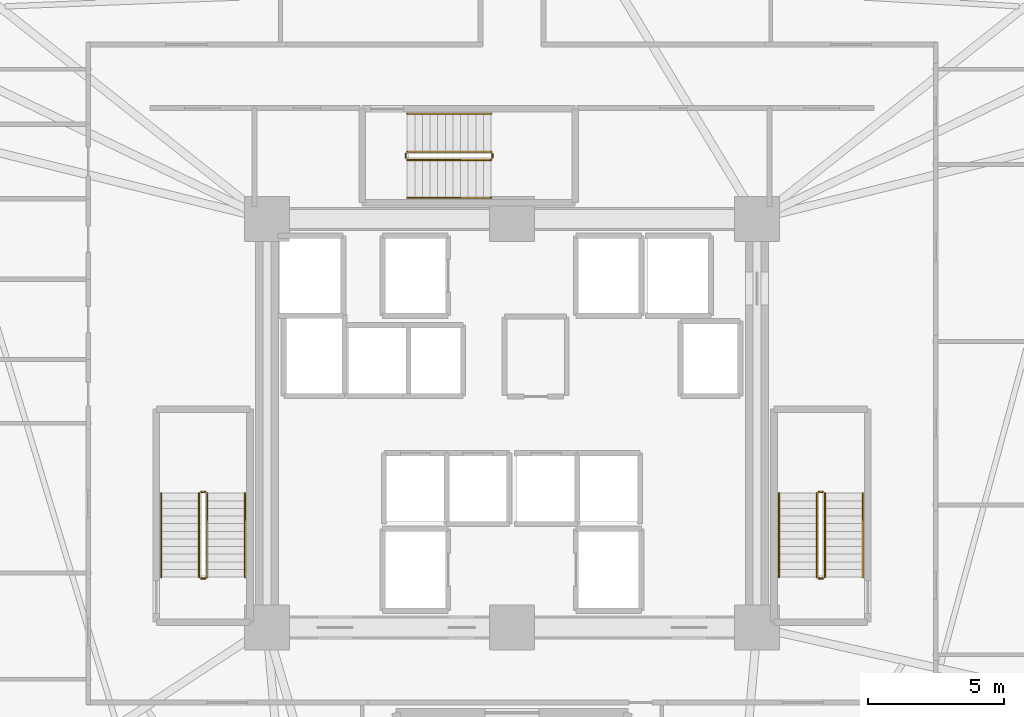
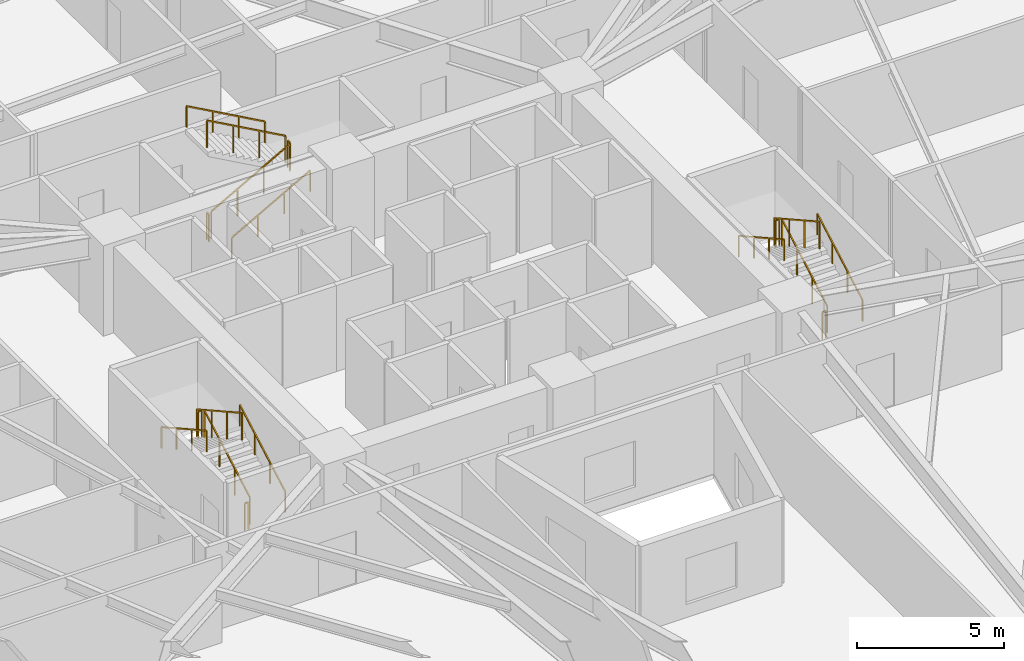
# One storey, part 8 of 8: 18 railings.
"""IFC4 building model written with IfcOpenShell, lengths in metres."""

from ifc_helpers import new_model, si_unit, direction, frame, origin, origin_2d, place, context, subcontext, project, spatial, rectangle, extrude, material, type_object, element, save


model = new_model("IFC4")

# Units and contexts
model_context = context("Model", 3, precision=1e-05, world=origin(), true_north=direction((0.0, 1.0)))
body_context = subcontext(model_context, "Body", "Model", "MODEL_VIEW")
ifc_project = project(units=[si_unit("LENGTHUNIT", "METRE"), si_unit("AREAUNIT", "SQUARE_METRE"), si_unit("VOLUMEUNIT", "CUBIC_METRE"), si_unit("PLANEANGLEUNIT", "RADIAN"), si_unit("MASSUNIT", "GRAM", prefix="KILO")], contexts=[model_context])

# Site, building, storey
site_placement = place(None, origin())
site = spatial("IfcSite", under=ifc_project, at=site_placement, CompositionType="ELEMENT")
building_placement = place(site_placement, origin())
building = spatial("IfcBuilding", under=site, at=building_placement, Name="Liaohun Quay Tower", CompositionType="ELEMENT")
storey_placement = place(building_placement, frame((0.0, 0.0, 81.75)))
storey = spatial("IfcBuildingStorey", under=building, at=storey_placement, Name="L21", CompositionType="ELEMENT", Elevation=81.75)

# Railings
ifc_material_1 = material(Name="Painted tubular steel", Category="steel")
railing_type_1 = type_object("IfcRailingType", Name="RLG-GUARD-STR", PredefinedType="GUARDRAIL", material=ifc_material_1)
railing_1_placement = place(storey_placement, frame((48.81005859375, 48.35009765625, 0.15625)))
element("IfcRailing", 1, at=railing_1_placement, inside=storey, type_object=railing_type_1, Name="L21 ST-1 stair guard 1", PredefinedType="GUARDRAIL", context=body_context, shape_type="SweptSolid", body=[
    extrude(rectangle(XDim=0.048095703125, YDim=0.048095703125, at=origin_2d()), frame((0.0, 0.0, 1.1259765625), z_axis=(0.0, 0.873225103656, 0.487317061414), x_axis=(-1.0, 0.0, 0.0)), (0.0, 0.0, 1.0), 3.52685546875),
    extrude(rectangle(XDim=0.0419921875, YDim=0.0419921875, at=origin_2d()), origin(), (0.0, 0.0, 1.0), 1.101806640625),
    extrude(rectangle(XDim=0.0419921875, YDim=0.0419921875, at=origin_2d()), frame((0.0, 1.026611328125, 0.572998046875)), (0.0, 0.0, 1.0), 1.101806640625),
    extrude(rectangle(XDim=0.0419921875, YDim=0.0419921875, at=origin_2d()), frame((0.0, 2.05322265625, 1.145751953125)), (0.0, 0.0, 1.0), 1.101806640625),
    extrude(rectangle(XDim=0.0419921875, YDim=0.0419921875, at=origin_2d()), frame((0.0, 3.079833984375, 1.71875)), (0.0, 0.0, 1.0), 1.101806640625),
])
railing_2_placement = place(storey_placement, frame((48.72998046875, 51.47998046875, 1.875)))
element("IfcRailing", 2, at=railing_2_placement, inside=storey, type_object=railing_type_1, Name="L21 ST-1 stair guard 2", PredefinedType="GUARDRAIL", context=body_context, shape_type="SweptSolid", body=[
    extrude(rectangle(XDim=0.048095703125, YDim=0.048095703125, at=origin_2d()), frame((0.0, 0.0, 1.1259765625), z_axis=(-1.0, 0.0, 0.0), x_axis=(0.0, -1.0, 0.0)), (0.0, 0.0, 1.0), 0.139892578125),
    extrude(rectangle(XDim=0.0419921875, YDim=0.0419921875, at=origin_2d()), origin(), (0.0, 0.0, 1.0), 1.101806640625),
    extrude(rectangle(XDim=0.0419921875, YDim=0.0419921875, at=origin_2d()), frame((-0.139892578125, 0.0, 0.0)), (0.0, 0.0, 1.0), 1.101806640625),
])
railing_3_placement = place(storey_placement, frame((48.510009765625, 51.429931640625, 2.03125)))
element("IfcRailing", 3, at=railing_3_placement, inside=storey, type_object=railing_type_1, Name="L21 ST-1 stair guard 3", PredefinedType="GUARDRAIL", context=body_context, shape_type="SweptSolid", body=[
    extrude(rectangle(XDim=0.048095703125, YDim=0.048095703125, at=origin_2d()), frame((0.0, 0.0, 1.1259765625), z_axis=(0.0, -0.873225103656, 0.487317061414), x_axis=(1.0, 0.0, 0.0)), (0.0, 0.0, 1.0), 3.52685546875),
    extrude(rectangle(XDim=0.0419921875, YDim=0.0419921875, at=origin_2d()), origin(), (0.0, 0.0, 1.0), 1.101806640625),
    extrude(rectangle(XDim=0.0419921875, YDim=0.0419921875, at=origin_2d()), frame((0.0, -1.026611328125, 0.572998046875)), (0.0, 0.0, 1.0), 1.101806640625),
    extrude(rectangle(XDim=0.0419921875, YDim=0.0419921875, at=origin_2d()), frame((0.0, -2.05322265625, 1.145751953125)), (0.0, 0.0, 1.0), 1.101806640625),
    extrude(rectangle(XDim=0.0419921875, YDim=0.0419921875, at=origin_2d()), frame((0.0, -3.079833984375, 1.71875)), (0.0, 0.0, 1.0), 1.101806640625),
])
railing_4_placement = place(storey_placement, frame((48.72998046875, 48.300048828125, 0.0)))
element("IfcRailing", 4, at=railing_4_placement, inside=storey, type_object=railing_type_1, Name="L21 ST-1 stair guard 4", PredefinedType="GUARDRAIL", context=body_context, shape_type="SweptSolid", body=[
    extrude(rectangle(XDim=0.048095703125, YDim=0.048095703125, at=origin_2d()), frame((0.0, 0.0, 1.1259765625), z_axis=(-1.0, 0.0, 0.0), x_axis=(0.0, -1.0, 0.0)), (0.0, 0.0, 1.0), 0.139892578125),
    extrude(rectangle(XDim=0.0419921875, YDim=0.0419921875, at=origin_2d()), origin(), (0.0, 0.0, 1.0), 1.101806640625),
    extrude(rectangle(XDim=0.0419921875, YDim=0.0419921875, at=origin_2d()), frame((-0.139892578125, 0.0, 0.0)), (0.0, 0.0, 1.0), 1.101806640625),
])
railing_5_placement = place(storey_placement, frame((71.489990234375, 48.35009765625, 0.15625)))
element("IfcRailing", 5, at=railing_5_placement, inside=storey, type_object=railing_type_1, Name="L21 ST-2 stair guard 1", PredefinedType="GUARDRAIL", context=body_context, shape_type="SweptSolid", body=[
    extrude(rectangle(XDim=0.048095703125, YDim=0.048095703125, at=origin_2d()), frame((0.0, 0.0, 1.1259765625), z_axis=(0.0, 0.873225103656, 0.487317061414), x_axis=(-1.0, 0.0, 0.0)), (0.0, 0.0, 1.0), 3.52685546875),
    extrude(rectangle(XDim=0.0419921875, YDim=0.0419921875, at=origin_2d()), origin(), (0.0, 0.0, 1.0), 1.101806640625),
    extrude(rectangle(XDim=0.0419921875, YDim=0.0419921875, at=origin_2d()), frame((0.0, 1.026611328125, 0.572998046875)), (0.0, 0.0, 1.0), 1.101806640625),
    extrude(rectangle(XDim=0.0419921875, YDim=0.0419921875, at=origin_2d()), frame((0.0, 2.05322265625, 1.145751953125)), (0.0, 0.0, 1.0), 1.101806640625),
    extrude(rectangle(XDim=0.0419921875, YDim=0.0419921875, at=origin_2d()), frame((0.0, 3.079833984375, 1.71875)), (0.0, 0.0, 1.0), 1.101806640625),
])
railing_6_placement = place(storey_placement, frame((71.409912109375, 51.47998046875, 1.875)))
element("IfcRailing", 6, at=railing_6_placement, inside=storey, type_object=railing_type_1, Name="L21 ST-2 stair guard 2", PredefinedType="GUARDRAIL", context=body_context, shape_type="SweptSolid", body=[
    extrude(rectangle(XDim=0.048095703125, YDim=0.048095703125, at=origin_2d()), frame((0.0, 0.0, 1.1259765625), z_axis=(-1.0, 0.0, 0.0), x_axis=(0.0, -1.0, 0.0)), (0.0, 0.0, 1.0), 0.139892578125),
    extrude(rectangle(XDim=0.0419921875, YDim=0.0419921875, at=origin_2d()), origin(), (0.0, 0.0, 1.0), 1.101806640625),
    extrude(rectangle(XDim=0.0419921875, YDim=0.0419921875, at=origin_2d()), frame((-0.139892578125, 0.0, 0.0)), (0.0, 0.0, 1.0), 1.101806640625),
])
railing_7_placement = place(storey_placement, frame((71.18994140625, 51.429931640625, 2.03125)))
element("IfcRailing", 7, at=railing_7_placement, inside=storey, type_object=railing_type_1, Name="L21 ST-2 stair guard 3", PredefinedType="GUARDRAIL", context=body_context, shape_type="SweptSolid", body=[
    extrude(rectangle(XDim=0.048095703125, YDim=0.048095703125, at=origin_2d()), frame((0.0, 0.0, 1.1259765625), z_axis=(0.0, -0.873225103656, 0.487317061414), x_axis=(1.0, 0.0, 0.0)), (0.0, 0.0, 1.0), 3.52685546875),
    extrude(rectangle(XDim=0.0419921875, YDim=0.0419921875, at=origin_2d()), origin(), (0.0, 0.0, 1.0), 1.101806640625),
    extrude(rectangle(XDim=0.0419921875, YDim=0.0419921875, at=origin_2d()), frame((0.0, -1.026611328125, 0.572998046875)), (0.0, 0.0, 1.0), 1.101806640625),
    extrude(rectangle(XDim=0.0419921875, YDim=0.0419921875, at=origin_2d()), frame((0.0, -2.05322265625, 1.145751953125)), (0.0, 0.0, 1.0), 1.101806640625),
    extrude(rectangle(XDim=0.0419921875, YDim=0.0419921875, at=origin_2d()), frame((0.0, -3.079833984375, 1.71875)), (0.0, 0.0, 1.0), 1.101806640625),
])
railing_8_placement = place(storey_placement, frame((71.409912109375, 48.300048828125, 0.0)))
element("IfcRailing", 8, at=railing_8_placement, inside=storey, type_object=railing_type_1, Name="L21 ST-2 stair guard 4", PredefinedType="GUARDRAIL", context=body_context, shape_type="SweptSolid", body=[
    extrude(rectangle(XDim=0.048095703125, YDim=0.048095703125, at=origin_2d()), frame((0.0, 0.0, 1.1259765625), z_axis=(-1.0, 0.0, 0.0), x_axis=(0.0, -1.0, 0.0)), (0.0, 0.0, 1.0), 0.139892578125),
    extrude(rectangle(XDim=0.0419921875, YDim=0.0419921875, at=origin_2d()), origin(), (0.0, 0.0, 1.0), 1.101806640625),
    extrude(rectangle(XDim=0.0419921875, YDim=0.0419921875, at=origin_2d()), frame((-0.139892578125, 0.0, 0.0)), (0.0, 0.0, 1.0), 1.101806640625),
])
railing_9_placement = place(storey_placement, frame((56.14990234375, 63.669921875, 0.15625)))
element("IfcRailing", 9, at=railing_9_placement, inside=storey, type_object=railing_type_1, Name="L21 ST-3 stair guard 1", PredefinedType="GUARDRAIL", context=body_context, shape_type="SweptSolid", body=[
    extrude(rectangle(XDim=0.048095703125, YDim=0.048095703125, at=origin_2d()), frame((0.0, 0.0, 1.1259765625), z_axis=(0.873241540666, 0.0, 0.487287606713), x_axis=(0.0, 1.0, 0.0)), (0.0, 0.0, 1.0), 3.527099609375),
    extrude(rectangle(XDim=0.0419921875, YDim=0.0419921875, at=origin_2d()), origin(), (0.0, 0.0, 1.0), 1.101806640625),
    extrude(rectangle(XDim=0.0419921875, YDim=0.0419921875, at=origin_2d()), frame((1.026611328125, 0.0, 0.572998046875)), (0.0, 0.0, 1.0), 1.101806640625),
    extrude(rectangle(XDim=0.0419921875, YDim=0.0419921875, at=origin_2d()), frame((2.053466796875, 0.0, 1.145751953125)), (0.0, 0.0, 1.0), 1.101806640625),
    extrude(rectangle(XDim=0.0419921875, YDim=0.0419921875, at=origin_2d()), frame((3.080078125, 0.0, 1.71875)), (0.0, 0.0, 1.0), 1.101806640625),
])
railing_10_placement = place(storey_placement, frame((59.280029296875, 63.75, 1.875)))
element("IfcRailing", 10, at=railing_10_placement, inside=storey, type_object=railing_type_1, Name="L21 ST-3 stair guard 2", PredefinedType="GUARDRAIL", context=body_context, shape_type="SweptSolid", body=[
    extrude(rectangle(XDim=0.048095703125, YDim=0.048095703125, at=origin_2d()), frame((0.0, 0.0, 1.1259765625), z_axis=(0.0, 1.0, 0.0), x_axis=(-1.0, 0.0, 0.0)), (0.0, 0.0, 1.0), 0.139892578125),
    extrude(rectangle(XDim=0.0419921875, YDim=0.0419921875, at=origin_2d()), origin(), (0.0, 0.0, 1.0), 1.101806640625),
    extrude(rectangle(XDim=0.0419921875, YDim=0.0419921875, at=origin_2d()), frame((0.0, 0.139892578125, 0.0)), (0.0, 0.0, 1.0), 1.101806640625),
])
railing_11_placement = place(storey_placement, frame((59.22998046875, 63.969970703125, 2.03125)))
element("IfcRailing", 11, at=railing_11_placement, inside=storey, type_object=railing_type_1, Name="L21 ST-3 stair guard 3", PredefinedType="GUARDRAIL", context=body_context, shape_type="SweptSolid", body=[
    extrude(rectangle(XDim=0.048095703125, YDim=0.048095703125, at=origin_2d()), frame((0.0, 0.0, 1.1259765625), z_axis=(-0.873241540666, 0.0, 0.487287606713), x_axis=(0.0, -1.0, 0.0)), (0.0, 0.0, 1.0), 3.527099609375),
    extrude(rectangle(XDim=0.0419921875, YDim=0.0419921875, at=origin_2d()), origin(), (0.0, 0.0, 1.0), 1.101806640625),
    extrude(rectangle(XDim=0.0419921875, YDim=0.0419921875, at=origin_2d()), frame((-1.026611328125, 0.0, 0.572998046875)), (0.0, 0.0, 1.0), 1.101806640625),
    extrude(rectangle(XDim=0.0419921875, YDim=0.0419921875, at=origin_2d()), frame((-2.053466796875, 0.0, 1.145751953125)), (0.0, 0.0, 1.0), 1.101806640625),
    extrude(rectangle(XDim=0.0419921875, YDim=0.0419921875, at=origin_2d()), frame((-3.080078125, 0.0, 1.71875)), (0.0, 0.0, 1.0), 1.101806640625),
])
railing_12_placement = place(storey_placement, frame((56.10009765625, 63.75, 0.0)))
element("IfcRailing", 12, at=railing_12_placement, inside=storey, type_object=railing_type_1, Name="L21 ST-3 stair guard 4", PredefinedType="GUARDRAIL", context=body_context, shape_type="SweptSolid", body=[
    extrude(rectangle(XDim=0.048095703125, YDim=0.048095703125, at=origin_2d()), frame((0.0, 0.0, 1.1259765625), z_axis=(0.0, 1.0, 0.0), x_axis=(-1.0, 0.0, 0.0)), (0.0, 0.0, 1.0), 0.139892578125),
    extrude(rectangle(XDim=0.0419921875, YDim=0.0419921875, at=origin_2d()), origin(), (0.0, 0.0, 1.0), 1.101806640625),
    extrude(rectangle(XDim=0.0419921875, YDim=0.0419921875, at=origin_2d()), frame((0.0, 0.139892578125, 0.0)), (0.0, 0.0, 1.0), 1.101806640625),
])
ifc_material_2 = material(Name="Brushed stainless steel", Category="steel")
railing_type_2 = type_object("IfcRailingType", Name="RLG-HND-STR", PredefinedType="HANDRAIL", material=ifc_material_2)
railing_13_placement = place(storey_placement, frame((50.199951171875, 48.35009765625, 0.15625)))
element("IfcRailing", 13, at=railing_13_placement, inside=storey, type_object=railing_type_2, Name="L21 ST-1 stair handrail 1", PredefinedType="HANDRAIL", context=body_context, shape_type="SweptSolid", body=[
    extrude(rectangle(XDim=0.048095703125, YDim=0.048095703125, at=origin_2d()), frame((0.0, 0.0, 0.8759765625), z_axis=(0.0, 0.873225103656, 0.487317061414), x_axis=(-1.0, 0.0, 0.0)), (0.0, 0.0, 1.0), 3.52685546875),
    extrude(rectangle(XDim=0.0419921875, YDim=0.0419921875, at=origin_2d()), origin(), (0.0, 0.0, 1.0), 0.851806640625),
    extrude(rectangle(XDim=0.0419921875, YDim=0.0419921875, at=origin_2d()), frame((0.0, 1.026611328125, 0.572998046875)), (0.0, 0.0, 1.0), 0.851806640625),
    extrude(rectangle(XDim=0.0419921875, YDim=0.0419921875, at=origin_2d()), frame((0.0, 2.05322265625, 1.145751953125)), (0.0, 0.0, 1.0), 0.851806640625),
    extrude(rectangle(XDim=0.0419921875, YDim=0.0419921875, at=origin_2d()), frame((0.0, 3.079833984375, 1.71875)), (0.0, 0.0, 1.0), 0.851806640625),
])
railing_14_placement = place(storey_placement, frame((47.1201171875, 51.429931640625, 2.03125)))
element("IfcRailing", 14, at=railing_14_placement, inside=storey, type_object=railing_type_2, Name="L21 ST-1 stair handrail 2", PredefinedType="HANDRAIL", context=body_context, shape_type="SweptSolid", body=[
    extrude(rectangle(XDim=0.048095703125, YDim=0.048095703125, at=origin_2d()), frame((0.0, 0.0, 0.8759765625), z_axis=(0.0, -0.873225103656, 0.487317061414), x_axis=(1.0, 0.0, 0.0)), (0.0, 0.0, 1.0), 3.52685546875),
    extrude(rectangle(XDim=0.0419921875, YDim=0.0419921875, at=origin_2d()), origin(), (0.0, 0.0, 1.0), 0.851806640625),
    extrude(rectangle(XDim=0.0419921875, YDim=0.0419921875, at=origin_2d()), frame((0.0, -1.026611328125, 0.572998046875)), (0.0, 0.0, 1.0), 0.851806640625),
    extrude(rectangle(XDim=0.0419921875, YDim=0.0419921875, at=origin_2d()), frame((0.0, -2.05322265625, 1.145751953125)), (0.0, 0.0, 1.0), 0.851806640625),
    extrude(rectangle(XDim=0.0419921875, YDim=0.0419921875, at=origin_2d()), frame((0.0, -3.079833984375, 1.71875)), (0.0, 0.0, 1.0), 0.851806640625),
])
railing_15_placement = place(storey_placement, frame((72.8798828125, 48.35009765625, 0.15625)))
element("IfcRailing", 15, at=railing_15_placement, inside=storey, type_object=railing_type_2, Name="L21 ST-2 stair handrail 1", PredefinedType="HANDRAIL", context=body_context, shape_type="SweptSolid", body=[
    extrude(rectangle(XDim=0.048095703125, YDim=0.048095703125, at=origin_2d()), frame((0.0, 0.0, 0.8759765625), z_axis=(0.0, 0.873225103656, 0.487317061414), x_axis=(-1.0, 0.0, 0.0)), (0.0, 0.0, 1.0), 3.52685546875),
    extrude(rectangle(XDim=0.0419921875, YDim=0.0419921875, at=origin_2d()), origin(), (0.0, 0.0, 1.0), 0.851806640625),
    extrude(rectangle(XDim=0.0419921875, YDim=0.0419921875, at=origin_2d()), frame((0.0, 1.026611328125, 0.572998046875)), (0.0, 0.0, 1.0), 0.851806640625),
    extrude(rectangle(XDim=0.0419921875, YDim=0.0419921875, at=origin_2d()), frame((0.0, 2.05322265625, 1.145751953125)), (0.0, 0.0, 1.0), 0.851806640625),
    extrude(rectangle(XDim=0.0419921875, YDim=0.0419921875, at=origin_2d()), frame((0.0, 3.079833984375, 1.71875)), (0.0, 0.0, 1.0), 0.851806640625),
])
railing_16_placement = place(storey_placement, frame((69.800048828125, 51.429931640625, 2.03125)))
element("IfcRailing", 16, at=railing_16_placement, inside=storey, type_object=railing_type_2, Name="L21 ST-2 stair handrail 2", PredefinedType="HANDRAIL", context=body_context, shape_type="SweptSolid", body=[
    extrude(rectangle(XDim=0.048095703125, YDim=0.048095703125, at=origin_2d()), frame((0.0, 0.0, 0.8759765625), z_axis=(0.0, -0.873225103656, 0.487317061414), x_axis=(1.0, 0.0, 0.0)), (0.0, 0.0, 1.0), 3.52685546875),
    extrude(rectangle(XDim=0.0419921875, YDim=0.0419921875, at=origin_2d()), origin(), (0.0, 0.0, 1.0), 0.851806640625),
    extrude(rectangle(XDim=0.0419921875, YDim=0.0419921875, at=origin_2d()), frame((0.0, -1.026611328125, 0.572998046875)), (0.0, 0.0, 1.0), 0.851806640625),
    extrude(rectangle(XDim=0.0419921875, YDim=0.0419921875, at=origin_2d()), frame((0.0, -2.05322265625, 1.145751953125)), (0.0, 0.0, 1.0), 0.851806640625),
    extrude(rectangle(XDim=0.0419921875, YDim=0.0419921875, at=origin_2d()), frame((0.0, -3.079833984375, 1.71875)), (0.0, 0.0, 1.0), 0.851806640625),
])
railing_17_placement = place(storey_placement, frame((56.14990234375, 62.280029296875, 0.15625)))
element("IfcRailing", 17, at=railing_17_placement, inside=storey, type_object=railing_type_2, Name="L21 ST-3 stair handrail 1", PredefinedType="HANDRAIL", context=body_context, shape_type="SweptSolid", body=[
    extrude(rectangle(XDim=0.048095703125, YDim=0.048095703125, at=origin_2d()), frame((0.0, 0.0, 0.8759765625), z_axis=(0.873241540666, 0.0, 0.487287606713), x_axis=(0.0, 1.0, 0.0)), (0.0, 0.0, 1.0), 3.527099609375),
    extrude(rectangle(XDim=0.0419921875, YDim=0.0419921875, at=origin_2d()), origin(), (0.0, 0.0, 1.0), 0.851806640625),
    extrude(rectangle(XDim=0.0419921875, YDim=0.0419921875, at=origin_2d()), frame((1.026611328125, 0.0, 0.572998046875)), (0.0, 0.0, 1.0), 0.851806640625),
    extrude(rectangle(XDim=0.0419921875, YDim=0.0419921875, at=origin_2d()), frame((2.053466796875, 0.0, 1.145751953125)), (0.0, 0.0, 1.0), 0.851806640625),
    extrude(rectangle(XDim=0.0419921875, YDim=0.0419921875, at=origin_2d()), frame((3.080078125, 0.0, 1.71875)), (0.0, 0.0, 1.0), 0.851806640625),
])
railing_18_placement = place(storey_placement, frame((59.22998046875, 65.360107421875, 2.03125)))
element("IfcRailing", 18, at=railing_18_placement, inside=storey, type_object=railing_type_2, Name="L21 ST-3 stair handrail 2", PredefinedType="HANDRAIL", context=body_context, shape_type="SweptSolid", body=[
    extrude(rectangle(XDim=0.048095703125, YDim=0.048095703125, at=origin_2d()), frame((0.0, 0.0, 0.8759765625), z_axis=(-0.873241540666, 0.0, 0.487287606713), x_axis=(0.0, -1.0, 0.0)), (0.0, 0.0, 1.0), 3.527099609375),
    extrude(rectangle(XDim=0.0419921875, YDim=0.0419921875, at=origin_2d()), origin(), (0.0, 0.0, 1.0), 0.851806640625),
    extrude(rectangle(XDim=0.0419921875, YDim=0.0419921875, at=origin_2d()), frame((-1.026611328125, 0.0, 0.572998046875)), (0.0, 0.0, 1.0), 0.851806640625),
    extrude(rectangle(XDim=0.0419921875, YDim=0.0419921875, at=origin_2d()), frame((-2.053466796875, 0.0, 1.145751953125)), (0.0, 0.0, 1.0), 0.851806640625),
    extrude(rectangle(XDim=0.0419921875, YDim=0.0419921875, at=origin_2d()), frame((-3.080078125, 0.0, 1.71875)), (0.0, 0.0, 1.0), 0.851806640625),
])

save(model, "model.ifc")
